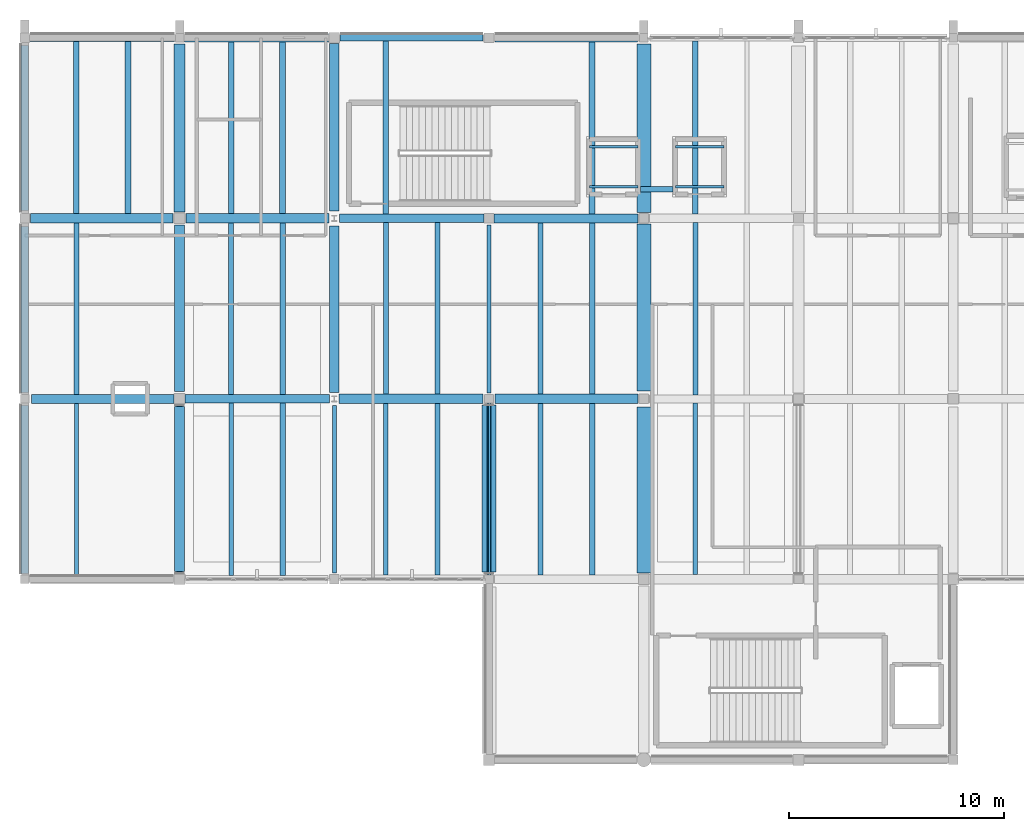
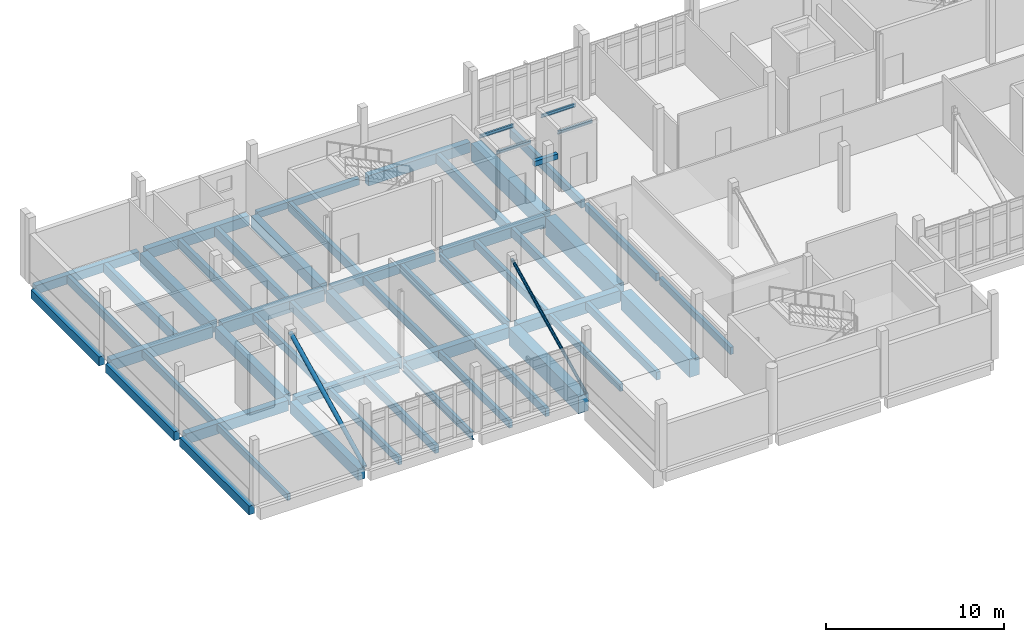
# One storey, part 11 of 34: 54 beams, 2 members.
"""IFC4 building model written with IfcOpenShell, lengths in metres."""

from ifc_helpers import new_model, si_unit, direction, frame, origin, origin_2d, place, context, subcontext, project, spatial, rectangle, hollow_circle, i_section, extrude, material, material_profile, profile_set, type_object, element, save


model = new_model("IFC4")

# Units and contexts
model_context = context("Model", 3, precision=1e-05, world=origin(), true_north=direction((0.0, 1.0)))
body_context = subcontext(model_context, "Body", "Model", "MODEL_VIEW")
ifc_project = project(units=[si_unit("LENGTHUNIT", "METRE"), si_unit("AREAUNIT", "SQUARE_METRE"), si_unit("VOLUMEUNIT", "CUBIC_METRE"), si_unit("PLANEANGLEUNIT", "RADIAN"), si_unit("MASSUNIT", "GRAM", prefix="KILO")], contexts=[model_context])

# Site, building, storey
site_placement = place(None, origin())
site = spatial("IfcSite", under=ifc_project, at=site_placement, CompositionType="ELEMENT")
building_placement = place(site_placement, origin())
building = spatial("IfcBuilding", under=site, at=building_placement, Name="Kalluvel Institute of Natural Sciences", CompositionType="ELEMENT")
storey_placement = place(building_placement, frame((0.0, 0.0, 36.89990234375)))
storey = spatial("IfcBuildingStorey", under=building, at=storey_placement, Name="L08", CompositionType="ELEMENT", Elevation=36.89990234375)

# Beams
ifc_material_1 = material(Name="Steel E350 Grade 350", Category="steel")
ifc_material_profile_1 = material_profile(ifc_material_1, i_section(OverallWidth=0.110107421875, OverallDepth=0.22509765625, WebThickness=0.006591796875, FlangeThickness=0.01171875, FilletRadius=0.011962890625, at=origin_2d()), Name="ISMB 225")
ifc_profile_set_1 = profile_set([ifc_material_profile_1], Name="Steel E350 Grade 350")
beam_type_1 = type_object("IfcBeamType", Name="BM-ISMB225", PredefinedType="BEAM", material=ifc_profile_set_1)
for number, where, z_axis, x_axis, name in (
    (1, (40.27001953125, 121.070068359375, 3.8076171875), (1.0, 0.0, 0.0), (0.0, 1.0, 0.0), "LF1 overrun cap support beam S"),
    (2, (40.27001953125, 122.929931640625, 3.8076171875), (1.0, 0.0, 0.0), (0.0, 1.0, 0.0), "LF1 overrun cap support beam N"),
    (3, (44.27001953125, 121.070068359375, 3.8076171875), (1.0, 0.0, 0.0), (0.0, 1.0, 0.0), "LF2 overrun cap support beam S"),
    (4, (44.27001953125, 122.929931640625, 3.8076171875), (1.0, 0.0, 0.0), (0.0, 1.0, 0.0), "LF2 overrun cap support beam N"),
):
    element("IfcBeam", number, at=place(storey_placement, frame(where, z_axis=z_axis, x_axis=x_axis)), inside=storey, type_object=beam_type_1, Name=name, PredefinedType="BEAM", context=body_context, shape_type="SweptSolid", body=[
        extrude(i_section(OverallWidth=0.110107421875, OverallDepth=0.22509765625, WebThickness=0.006591796875, FlangeThickness=0.01171875, FilletRadius=0.011962890625, at=origin_2d()), origin(), (0.0, 0.0, 1.0), 2.260009765625),
    ])
ifc_material_profile_2 = material_profile(ifc_material_1, i_section(OverallWidth=0.18994140625, OverallDepth=0.550048828125, WebThickness=0.01123046875, FlangeThickness=0.019287109375, FilletRadius=0.01806640625, at=origin_2d()), Name="ISMB 550")
ifc_profile_set_2 = profile_set([ifc_material_profile_2], Name="Steel E350 Grade 350")
beam_type_2 = type_object("IfcBeamType", Name="BM-ISMB550", PredefinedType="BEAM", material=ifc_profile_set_2)
beam_1_placement = place(storey_placement, frame((28.39990234375, 103.10009765625, -0.594970703125), z_axis=(0.0, 1.0, 0.0), x_axis=(-1.0, 0.0, 0.0)))
element("IfcBeam", 5, at=beam_1_placement, inside=storey, type_object=beam_type_2, Name="L08 girder GIR-L08-NS-X284-Y1028", PredefinedType="BEAM", context=body_context, shape_type="SweptSolid", body=[
    extrude(i_section(OverallWidth=0.18994140625, OverallDepth=0.550048828125, WebThickness=0.01123046875, FlangeThickness=0.019287109375, FilletRadius=0.01806640625, at=origin_2d()), origin(), (0.0, 0.0, 1.0), 7.7998046875),
])
beam_2_placement = place(storey_placement, frame((35.60009765625, 111.47509765625, -0.594970703125), z_axis=(0.0, 1.0, 0.0), x_axis=(-1.0, 0.0, 0.0)))
element("IfcBeam", 6, at=beam_2_placement, inside=storey, type_object=beam_type_2, Name="L08 girder GIR-L08-NS-X356-Y1112", PredefinedType="BEAM", context=body_context, shape_type="SweptSolid", body=[
    extrude(i_section(OverallWidth=0.18994140625, OverallDepth=0.550048828125, WebThickness=0.01123046875, FlangeThickness=0.019287109375, FilletRadius=0.01806640625, at=origin_2d()), origin(), (0.0, 0.0, 1.0), 7.824951171875),
])
ifc_material_2 = material(Name="Concrete M40", Category="concrete")
ifc_material_profile_3 = material_profile(ifc_material_2, rectangle(XDim=0.3798828125, YDim=0.639892578125, at=origin_2d()), Name="RCB 380x640")
ifc_profile_set_3 = profile_set([ifc_material_profile_3], Name="Concrete M40")
beam_type_3 = type_object("IfcBeamType", Name="BM-RC380x640", PredefinedType="BEAM", material=ifc_profile_set_3)
beam_3_placement = place(storey_placement, frame((28.64990234375, 119.60009765625, -0.639892578125), z_axis=(1.0, 0.0, 0.0), x_axis=(0.0, 1.0, 0.0)))
element("IfcBeam", 7, at=beam_3_placement, inside=storey, type_object=beam_type_3, Name="L08 girder GIR-L08-EW-X284-Y1196", PredefinedType="BEAM", context=body_context, shape_type="SweptSolid", body=[
    extrude(rectangle(XDim=0.3798828125, YDim=0.639892578125, at=origin_2d()), origin(), (0.0, 0.0, 1.0), 6.72509765625),
])
ifc_material_profile_4 = material_profile(ifc_material_2, rectangle(XDim=0.39990234375, YDim=0.64990234375, at=origin_2d()), Name="RCB 400x650")
ifc_profile_set_4 = profile_set([ifc_material_profile_4], Name="Concrete M40")
beam_type_4 = type_object("IfcBeamType", Name="BM-RC400x650", PredefinedType="BEAM", material=ifc_profile_set_4)
beam_4_placement = place(storey_placement, frame((21.449951171875, 111.199951171875, -0.64501953125), z_axis=(1.0, 0.0, 0.0), x_axis=(0.0, 1.0, 0.0)))
element("IfcBeam", 8, at=beam_4_placement, inside=storey, type_object=beam_type_4, Name="L08 girder GIR-L08-EW-X212-Y1112", PredefinedType="BEAM", context=body_context, shape_type="SweptSolid", body=[
    extrude(rectangle(XDim=0.39990234375, YDim=0.64990234375, at=origin_2d()), origin(), (0.0, 0.0, 1.0), 6.72509765625),
])
ifc_material_profile_5 = material_profile(ifc_material_2, rectangle(XDim=0.419921875, YDim=0.719970703125, at=origin_2d()), Name="RCB 420x720")
ifc_profile_set_5 = profile_set([ifc_material_profile_5], Name="Concrete M40")
beam_type_5 = type_object("IfcBeamType", Name="BM-RC420x720", PredefinedType="BEAM", material=ifc_profile_set_5)
beam_5_placement = place(storey_placement, frame((14.300048828125, 111.199951171875, -0.679931640625), z_axis=(1.0, 0.0, 0.0), x_axis=(0.0, 1.0, 0.0)))
element("IfcBeam", 9, at=beam_5_placement, inside=storey, type_object=beam_type_5, Name="L08 girder GIR-L08-EW-X140-Y1112", PredefinedType="BEAM", context=body_context, shape_type="SweptSolid", body=[
    extrude(rectangle(XDim=0.419921875, YDim=0.719970703125, at=origin_2d()), origin(), (0.0, 0.0, 1.0), 6.64990234375),
])
beam_6_placement = place(storey_placement, frame((35.824951171875, 119.60009765625, -0.679931640625), z_axis=(1.0, 0.0, 0.0), x_axis=(0.0, 1.0, 0.0)))
element("IfcBeam", 10, at=beam_6_placement, inside=storey, type_object=beam_type_5, Name="L08 girder GIR-L08-EW-X356-Y1196", PredefinedType="BEAM", context=body_context, shape_type="SweptSolid", body=[
    extrude(rectangle(XDim=0.419921875, YDim=0.719970703125, at=origin_2d()), origin(), (0.0, 0.0, 1.0), 6.699951171875),
])
ifc_material_profile_6 = material_profile(ifc_material_2, rectangle(XDim=0.449951171875, YDim=0.75, at=origin_2d()), Name="RCB 450x750")
ifc_profile_set_6 = profile_set([ifc_material_profile_6], Name="Concrete M40")
beam_type_6 = type_object("IfcBeamType", Name="BM-RC450x750", PredefinedType="BEAM", material=ifc_profile_set_6)
beam_7_placement = place(storey_placement, frame((28.625, 111.199951171875, -0.69482421875), z_axis=(1.0, 0.0, 0.0), x_axis=(0.0, 1.0, 0.0)))
element("IfcBeam", 11, at=beam_7_placement, inside=storey, type_object=beam_type_6, Name="L08 girder GIR-L08-EW-X284-Y1112", PredefinedType="BEAM", context=body_context, shape_type="SweptSolid", body=[
    extrude(rectangle(XDim=0.449951171875, YDim=0.75, at=origin_2d()), origin(), (0.0, 0.0, 1.0), 6.699951171875),
])
beam_8_placement = place(storey_placement, frame((14.27490234375, 119.60009765625, -0.69482421875), z_axis=(1.0, 0.0, 0.0), x_axis=(0.0, 1.0, 0.0)))
element("IfcBeam", 12, at=beam_8_placement, inside=storey, type_object=beam_type_6, Name="L08 girder GIR-L08-EW-X140-Y1196", PredefinedType="BEAM", context=body_context, shape_type="SweptSolid", body=[
    extrude(rectangle(XDim=0.449951171875, YDim=0.75, at=origin_2d()), origin(), (0.0, 0.0, 1.0), 6.625),
])
ifc_material_profile_7 = material_profile(ifc_material_2, rectangle(XDim=0.449951171875, YDim=0.800048828125, at=origin_2d()), Name="RCB 450x800")
ifc_profile_set_7 = profile_set([ifc_material_profile_7], Name="Concrete M40")
beam_type_7 = type_object("IfcBeamType", Name="BM-RC450x800", PredefinedType="BEAM", material=ifc_profile_set_7)
for number, where, z_axis, x_axis, name in (
    (13, (35.875, 111.199951171875, -0.719970703125), (1.0, 0.0, 0.0), (0.0, 1.0, 0.0), "L08 girder GIR-L08-EW-X356-Y1112"),
    (14, (21.5, 119.60009765625, -0.719970703125), (1.0, 0.0, 0.0), (0.0, 1.0, 0.0), "L08 girder GIR-L08-EW-X212-Y1196"),
):
    element("IfcBeam", number, at=place(storey_placement, frame(where, z_axis=z_axis, x_axis=x_axis)), inside=storey, type_object=beam_type_7, Name=name, PredefinedType="BEAM", context=body_context, shape_type="SweptSolid", body=[
        extrude(rectangle(XDim=0.449951171875, YDim=0.800048828125, at=origin_2d()), origin(), (0.0, 0.0, 1.0), 6.64990234375),
    ])
beam_9_placement = place(storey_placement, frame((21.199951171875, 103.175048828125, -0.719970703125), z_axis=(0.0, 1.0, 0.0), x_axis=(-1.0, 0.0, 0.0)))
element("IfcBeam", 15, at=beam_9_placement, inside=storey, type_object=beam_type_7, Name="L08 girder GIR-L08-NS-X212-Y1028", PredefinedType="BEAM", context=body_context, shape_type="SweptSolid", body=[
    extrude(rectangle(XDim=0.449951171875, YDim=0.800048828125, at=origin_2d()), origin(), (0.0, 0.0, 1.0), 7.675048828125),
])
for number, where, z_axis, x_axis, name in (
    (16, (21.199951171875, 111.550048828125, -0.719970703125), (0.0, 1.0, 0.0), (-1.0, 0.0, 0.0), "L08 girder GIR-L08-NS-X212-Y1112"),
    (17, (28.39990234375, 111.5, -0.719970703125), (0.0, 1.0, 0.0), (-1.0, 0.0, 0.0), "L08 girder GIR-L08-NS-X284-Y1112"),
):
    element("IfcBeam", number, at=place(storey_placement, frame(where, z_axis=z_axis, x_axis=x_axis)), inside=storey, type_object=beam_type_7, Name=name, PredefinedType="BEAM", context=body_context, shape_type="SweptSolid", body=[
        extrude(rectangle(XDim=0.449951171875, YDim=0.800048828125, at=origin_2d()), origin(), (0.0, 0.0, 1.0), 7.75),
    ])
beam_10_placement = place(storey_placement, frame((28.39990234375, 119.949951171875, -0.719970703125), z_axis=(0.0, 1.0, 0.0), x_axis=(-1.0, 0.0, 0.0)))
element("IfcBeam", 18, at=beam_10_placement, inside=storey, type_object=beam_type_7, Name="L08 girder GIR-L08-NS-X284-Y1196", PredefinedType="BEAM", context=body_context, shape_type="SweptSolid", body=[
    extrude(rectangle(XDim=0.449951171875, YDim=0.800048828125, at=origin_2d()), origin(), (0.0, 0.0, 1.0), 7.775146484375),
])
ifc_material_3 = material(Name="Concrete M50", Category="concrete")
ifc_material_profile_8 = material_profile(ifc_material_3, rectangle(XDim=0.5, YDim=0.85009765625, at=origin_2d()), Name="RCB 500x850")
ifc_profile_set_8 = profile_set([ifc_material_profile_8], Name="Concrete M50")
beam_type_8 = type_object("IfcBeamType", Name="BM-RC500x850", PredefinedType="BEAM", material=ifc_profile_set_8)
beam_11_placement = place(storey_placement, frame((21.199951171875, 119.89990234375, -0.744873046875), z_axis=(0.0, 1.0, 0.0), x_axis=(-1.0, 0.0, 0.0)))
element("IfcBeam", 19, at=beam_11_placement, inside=storey, type_object=beam_type_8, Name="L08 girder GIR-L08-NS-X212-Y1196", PredefinedType="BEAM", context=body_context, shape_type="SweptSolid", body=[
    extrude(rectangle(XDim=0.5, YDim=0.85009765625, at=origin_2d()), origin(), (0.0, 0.0, 1.0), 7.800048828125),
])
ifc_material_profile_9 = material_profile(ifc_material_3, rectangle(XDim=0.64990234375, YDim=1.199951171875, at=origin_2d()), Name="RCB 650x1200")
ifc_profile_set_9 = profile_set([ifc_material_profile_9], Name="Concrete M50")
beam_type_9 = type_object("IfcBeamType", Name="BM-RC650x1200", PredefinedType="BEAM", material=ifc_profile_set_9)
beam_12_placement = place(storey_placement, frame((35.60009765625, 103.14990234375, -0.919921875), z_axis=(0.0, 1.0, 0.0), x_axis=(-1.0, 0.0, 0.0)))
element("IfcBeam", 20, at=beam_12_placement, inside=storey, type_object=beam_type_9, Name="L08 girder GIR-L08-NS-X356-Y1028", PredefinedType="BEAM", context=body_context, shape_type="SweptSolid", body=[
    extrude(rectangle(XDim=0.64990234375, YDim=1.199951171875, at=origin_2d()), origin(), (0.0, 0.0, 1.0), 7.775146484375),
])
beam_13_placement = place(storey_placement, frame((42.800048828125, 103.10009765625, -0.919921875), z_axis=(0.0, 1.0, 0.0), x_axis=(-1.0, 0.0, 0.0)))
element("IfcBeam", 21, at=beam_13_placement, inside=storey, type_object=beam_type_9, Name="L08 girder GIR-L08-NS-X428-Y1028", PredefinedType="BEAM", context=body_context, shape_type="SweptSolid", body=[
    extrude(rectangle(XDim=0.64990234375, YDim=1.199951171875, at=origin_2d()), origin(), (0.0, 0.0, 1.0), 7.724853515625),
])
beam_14_placement = place(storey_placement, frame((42.800048828125, 111.574951171875, -0.919921875), z_axis=(0.0, 1.0, 0.0), x_axis=(-1.0, 0.0, 0.0)))
element("IfcBeam", 22, at=beam_14_placement, inside=storey, type_object=beam_type_9, Name="L08 girder GIR-L08-NS-X428-Y1112", PredefinedType="BEAM", context=body_context, shape_type="SweptSolid", body=[
    extrude(rectangle(XDim=0.64990234375, YDim=1.199951171875, at=origin_2d()), origin(), (0.0, 0.0, 1.0), 7.75),
])
beam_15_placement = place(storey_placement, frame((42.800048828125, 119.875, -0.919921875), z_axis=(0.0, 1.0, 0.0), x_axis=(-1.0, 0.0, 0.0)))
element("IfcBeam", 23, at=beam_15_placement, inside=storey, type_object=beam_type_9, Name="L08 girder GIR-L08-NS-X428-Y1196", PredefinedType="BEAM", context=body_context, shape_type="SweptSolid", body=[
    extrude(rectangle(XDim=0.64990234375, YDim=1.199951171875, at=origin_2d()), origin(), (0.0, 0.0, 1.0), 7.824951171875),
])
ifc_material_4 = material(Name="Sadarahalli Granite Precast Concrete M45", Category="masonry")
ifc_material_profile_10 = material_profile(ifc_material_4, rectangle(XDim=0.25, YDim=0.35009765625, at=origin_2d()), Name="LIN 250x350")
ifc_profile_set_10 = profile_set([ifc_material_profile_10], Name="Sadarahalli Granite Precast Concrete M45")
beam_type_10 = type_object("IfcBeamType", Name="LN-250x350-EXT", PredefinedType="LINTEL", material=ifc_profile_set_10)
beam_16_placement = place(storey_placement, frame((42.639892578125, 120.949951171875, 2.35009765625), z_axis=(1.0, 0.0, 0.0), x_axis=(0.0, 1.0, 0.0)))
element("IfcBeam", 24, at=beam_16_placement, inside=storey, type_object=beam_type_10, Name="L08 lift-core coupling lintel A", PredefinedType="LINTEL", context=body_context, shape_type="SweptSolid", body=[
    extrude(rectangle(XDim=0.25, YDim=0.35009765625, at=origin_2d()), origin(), (0.0, 0.0, 1.0), 1.52001953125),
])

# Members
ifc_material_profile_11 = material_profile(ifc_material_1, hollow_circle(Radius=0.096923828125, WallThickness=0.010009765625, at=origin_2d()), Name="CHS 193.7x10.0")
ifc_profile_set_11 = profile_set([ifc_material_profile_11], Name="Steel E350 Grade 350")
member_type_1 = type_object("IfcMemberType", Name="MB-ST-CHS193", PredefinedType="STRUT", material=ifc_profile_set_11)
member_1_placement = place(storey_placement, frame((35.60009765625, 102.800048828125, 0.0), z_axis=(0.0, 0.896543394675, 0.44295591368), x_axis=(-1.0, 0.0, 0.0)))
element("IfcMember", 25, at=member_1_placement, inside=storey, type_object=member_type_1, Name="Crown lateral brace strut 2", PredefinedType="STRUT", context=body_context, shape_type="SweptSolid", body=[
    extrude(hollow_circle(Radius=0.096923828125, WallThickness=0.010009765625, at=origin_2d()), origin(), (0.0, 0.0, 1.0), 9.369140625),
])
ifc_material_profile_12 = material_profile(ifc_material_1, hollow_circle(Radius=0.136474609375, WallThickness=0.012451171875, at=origin_2d()), Name="CHS 273.0x12.5")
ifc_profile_set_12 = profile_set([ifc_material_profile_12], Name="Steel E350 Grade 350")
member_type_2 = type_object("IfcMemberType", Name="MB-ST-CHS273", PredefinedType="STRUT", material=ifc_profile_set_12)
member_2_placement = place(storey_placement, frame((21.199951171875, 102.800048828125, 0.0), z_axis=(0.0, 0.896543394675, 0.44295591368), x_axis=(-1.0, 0.0, 0.0)))
element("IfcMember", 26, at=member_2_placement, inside=storey, type_object=member_type_2, Name="Crown lateral brace strut 1", PredefinedType="STRUT", context=body_context, shape_type="SweptSolid", body=[
    extrude(hollow_circle(Radius=0.136474609375, WallThickness=0.012451171875, at=origin_2d()), origin(), (0.0, 0.0, 1.0), 9.369140625),
])

# Beams
ifc_material_profile_13 = material_profile(ifc_material_2, rectangle(XDim=0.300048828125, YDim=0.449951171875, at=origin_2d()), Name="RCB 300x450")
ifc_profile_set_13 = profile_set([ifc_material_profile_13], Name="Concrete M40")
beam_type_11 = type_object("IfcBeamType", Name="SP-RC300x450", PredefinedType="SPANDREL", material=ifc_profile_set_13)
beam_17_placement = place(storey_placement, frame((28.675048828125, 128.0, -0.544921875), z_axis=(1.0, 0.0, 0.0), x_axis=(0.0, 1.0, 0.0)))
element("IfcBeam", 27, at=beam_17_placement, inside=storey, type_object=beam_type_11, Name="L08 girder GIR-L08-EW-X284-Y1280", PredefinedType="SPANDREL", context=body_context, shape_type="SweptSolid", body=[
    extrude(rectangle(XDim=0.300048828125, YDim=0.449951171875, at=origin_2d()), origin(), (0.0, 0.0, 1.0), 6.64990234375),
])
ifc_material_profile_14 = material_profile(ifc_material_2, rectangle(XDim=0.35009765625, YDim=0.60009765625, at=origin_2d()), Name="RCB 350x600")
ifc_profile_set_14 = profile_set([ifc_material_profile_14], Name="Concrete M40")
beam_type_12 = type_object("IfcBeamType", Name="SP-RC350x600", PredefinedType="SPANDREL", material=ifc_profile_set_14)
beam_18_placement = place(storey_placement, frame((14.25, 128.0, -0.619873046875), z_axis=(1.0, 0.0, 0.0), x_axis=(0.0, 1.0, 0.0)))
element("IfcBeam", 28, at=beam_18_placement, inside=storey, type_object=beam_type_12, Name="L08 girder GIR-L08-EW-X140-Y1280", PredefinedType="SPANDREL", context=body_context, shape_type="SweptSolid", body=[
    extrude(rectangle(XDim=0.35009765625, YDim=0.60009765625, at=origin_2d()), origin(), (0.0, 0.0, 1.0), 6.72509765625),
])
beam_19_placement = place(storey_placement, frame((14.0, 103.074951171875, -0.619873046875), z_axis=(0.0, 1.0, 0.0), x_axis=(-1.0, 0.0, 0.0)))
element("IfcBeam", 29, at=beam_19_placement, inside=storey, type_object=beam_type_12, Name="L08 girder GIR-L08-NS-X140-Y1028", PredefinedType="SPANDREL", context=body_context, shape_type="SweptSolid", body=[
    extrude(rectangle(XDim=0.35009765625, YDim=0.60009765625, at=origin_2d()), origin(), (0.0, 0.0, 1.0), 7.824951171875),
])
beam_20_placement = place(storey_placement, frame((14.0, 111.5, -0.619873046875), z_axis=(0.0, 1.0, 0.0), x_axis=(-1.0, 0.0, 0.0)))
element("IfcBeam", 30, at=beam_20_placement, inside=storey, type_object=beam_type_12, Name="L08 girder GIR-L08-NS-X140-Y1112", PredefinedType="SPANDREL", context=body_context, shape_type="SweptSolid", body=[
    extrude(rectangle(XDim=0.35009765625, YDim=0.60009765625, at=origin_2d()), origin(), (0.0, 0.0, 1.0), 7.72509765625),
])
beam_21_placement = place(storey_placement, frame((14.0, 119.97509765625, -0.619873046875), z_axis=(0.0, 1.0, 0.0), x_axis=(-1.0, 0.0, 0.0)))
element("IfcBeam", 31, at=beam_21_placement, inside=storey, type_object=beam_type_12, Name="L08 girder GIR-L08-NS-X140-Y1196", PredefinedType="SPANDREL", context=body_context, shape_type="SweptSolid", body=[
    extrude(rectangle(XDim=0.35009765625, YDim=0.60009765625, at=origin_2d()), origin(), (0.0, 0.0, 1.0), 7.6748046875),
])
ifc_material_profile_15 = material_profile(ifc_material_2, rectangle(XDim=0.39990234375, YDim=0.699951171875, at=origin_2d()), Name="RCB 400x700")
ifc_profile_set_15 = profile_set([ifc_material_profile_15], Name="Concrete M40")
beam_type_13 = type_object("IfcBeamType", Name="SP-RC400x700", PredefinedType="SPANDREL", material=ifc_profile_set_15)
beam_22_placement = place(storey_placement, frame((21.425048828125, 128.0, -0.669921875), z_axis=(1.0, 0.0, 0.0), x_axis=(0.0, 1.0, 0.0)))
element("IfcBeam", 32, at=beam_22_placement, inside=storey, type_object=beam_type_13, Name="L08 girder GIR-L08-EW-X212-Y1280", PredefinedType="SPANDREL", context=body_context, shape_type="SweptSolid", body=[
    extrude(rectangle(XDim=0.39990234375, YDim=0.699951171875, at=origin_2d()), origin(), (0.0, 0.0, 1.0), 6.699951171875),
])
beam_23_placement = place(storey_placement, frame((35.875, 128.0, -0.669921875), z_axis=(1.0, 0.0, 0.0), x_axis=(0.0, 1.0, 0.0)))
element("IfcBeam", 33, at=beam_23_placement, inside=storey, type_object=beam_type_13, Name="L08 girder GIR-L08-EW-X356-Y1280", PredefinedType="SPANDREL", context=body_context, shape_type="SweptSolid", body=[
    extrude(rectangle(XDim=0.39990234375, YDim=0.699951171875, at=origin_2d()), origin(), (0.0, 0.0, 1.0), 6.625),
])
ifc_material_profile_16 = material_profile(ifc_material_2, rectangle(XDim=0.199951171875, YDim=0.4599609375, at=origin_2d()), Name="WAF 200x460")
ifc_profile_set_16 = profile_set([ifc_material_profile_16], Name="Concrete M40")
beam_type_14 = type_object("IfcBeamType", Name="WJ-200x460", PredefinedType="JOIST", material=ifc_profile_set_16)
beam_24_placement = place(storey_placement, frame((16.39990234375, 103.02490234375, -0.5498046875), z_axis=(0.0, 1.0, 0.0), x_axis=(-1.0, 0.0, 0.0)))
element("IfcBeam", 34, at=beam_24_placement, inside=storey, type_object=beam_type_14, Name="L08 waffle joist RIB-L08-0575", PredefinedType="JOIST", context=body_context, shape_type="SweptSolid", body=[
    extrude(rectangle(XDim=0.199951171875, YDim=0.4599609375, at=origin_2d()), origin(), (0.0, 0.0, 1.0), 7.965087890625),
])
ifc_material_profile_17 = material_profile(ifc_material_2, rectangle(XDim=0.219970703125, YDim=0.5, at=origin_2d()), Name="WAF 220x500")
ifc_profile_set_17 = profile_set([ifc_material_profile_17], Name="Concrete M40")
beam_type_15 = type_object("IfcBeamType", Name="WJ-220x500", PredefinedType="JOIST", material=ifc_profile_set_17)
beam_25_placement = place(storey_placement, frame((16.39990234375, 111.409912109375, -0.56982421875), z_axis=(0.0, 1.0, 0.0), x_axis=(-1.0, 0.0, 0.0)))
element("IfcBeam", 35, at=beam_25_placement, inside=storey, type_object=beam_type_15, Name="L08 waffle joist RIB-L08-0576", PredefinedType="JOIST", context=body_context, shape_type="SweptSolid", body=[
    extrude(rectangle(XDim=0.219970703125, YDim=0.5, at=origin_2d()), origin(), (0.0, 0.0, 1.0), 7.965087890625),
])
beam_26_placement = place(storey_placement, frame((23.60009765625, 102.989990234375, -0.56982421875), z_axis=(0.0, 1.0, 0.0), x_axis=(-1.0, 0.0, 0.0)))
element("IfcBeam", 36, at=beam_26_placement, inside=storey, type_object=beam_type_15, Name="L08 waffle joist RIB-L08-0579", PredefinedType="JOIST", context=body_context, shape_type="SweptSolid", body=[
    extrude(rectangle(XDim=0.219970703125, YDim=0.5, at=origin_2d()), origin(), (0.0, 0.0, 1.0), 8.010009765625),
])
beam_27_placement = place(storey_placement, frame((30.800048828125, 103.010009765625, -0.56982421875), z_axis=(0.0, 1.0, 0.0), x_axis=(-1.0, 0.0, 0.0)))
element("IfcBeam", 37, at=beam_27_placement, inside=storey, type_object=beam_type_15, Name="L08 waffle joist RIB-L08-0585", PredefinedType="JOIST", context=body_context, shape_type="SweptSolid", body=[
    extrude(rectangle(XDim=0.219970703125, YDim=0.5, at=origin_2d()), origin(), (0.0, 0.0, 1.0), 7.965087890625),
])
beam_28_placement = place(storey_placement, frame((38.0, 103.0, -0.56982421875), z_axis=(0.0, 1.0, 0.0), x_axis=(-1.0, 0.0, 0.0)))
element("IfcBeam", 38, at=beam_28_placement, inside=storey, type_object=beam_type_15, Name="L08 waffle joist RIB-L08-0590", PredefinedType="JOIST", context=body_context, shape_type="SweptSolid", body=[
    extrude(rectangle(XDim=0.219970703125, YDim=0.5, at=origin_2d()), origin(), (0.0, 0.0, 1.0), 7.97509765625),
])
beam_29_placement = place(storey_placement, frame((45.199951171875, 103.02490234375, -0.56982421875), z_axis=(0.0, 1.0, 0.0), x_axis=(-1.0, 0.0, 0.0)))
element("IfcBeam", 39, at=beam_29_placement, inside=storey, type_object=beam_type_15, Name="L08 waffle joist RIB-L08-0595", PredefinedType="JOIST", context=body_context, shape_type="SweptSolid", body=[
    extrude(rectangle(XDim=0.219970703125, YDim=0.5, at=origin_2d()), origin(), (0.0, 0.0, 1.0), 7.985107421875),
])
ifc_material_profile_18 = material_profile(ifc_material_2, rectangle(XDim=0.239990234375, YDim=0.52001953125, at=origin_2d()), Name="WAF 240x520")
ifc_profile_set_18 = profile_set([ifc_material_profile_18], Name="Concrete M40")
beam_type_16 = type_object("IfcBeamType", Name="WJ-240x520", PredefinedType="JOIST", material=ifc_profile_set_18)
beam_30_placement = place(storey_placement, frame((23.60009765625, 111.39990234375, -0.579833984375), z_axis=(0.0, 1.0, 0.0), x_axis=(-1.0, 0.0, 0.0)))
element("IfcBeam", 40, at=beam_30_placement, inside=storey, type_object=beam_type_16, Name="L08 waffle joist RIB-L08-0581", PredefinedType="JOIST", context=body_context, shape_type="SweptSolid", body=[
    extrude(rectangle(XDim=0.239990234375, YDim=0.52001953125, at=origin_2d()), origin(), (0.0, 0.0, 1.0), 7.97509765625),
])
beam_31_placement = place(storey_placement, frame((30.800048828125, 111.425048828125, -0.579833984375), z_axis=(0.0, 1.0, 0.0), x_axis=(-1.0, 0.0, 0.0)))
element("IfcBeam", 41, at=beam_31_placement, inside=storey, type_object=beam_type_16, Name="L08 waffle joist RIB-L08-0587", PredefinedType="JOIST", context=body_context, shape_type="SweptSolid", body=[
    extrude(rectangle(XDim=0.239990234375, YDim=0.52001953125, at=origin_2d()), origin(), (0.0, 0.0, 1.0), 7.98486328125),
])
beam_32_placement = place(storey_placement, frame((38.0, 111.425048828125, -0.579833984375), z_axis=(0.0, 1.0, 0.0), x_axis=(-1.0, 0.0, 0.0)))
element("IfcBeam", 42, at=beam_32_placement, inside=storey, type_object=beam_type_16, Name="L08 waffle joist RIB-L08-0592", PredefinedType="JOIST", context=body_context, shape_type="SweptSolid", body=[
    extrude(rectangle(XDim=0.239990234375, YDim=0.52001953125, at=origin_2d()), origin(), (0.0, 0.0, 1.0), 7.96484375),
])
beam_33_placement = place(storey_placement, frame((45.199951171875, 111.389892578125, -0.579833984375), z_axis=(0.0, 1.0, 0.0), x_axis=(-1.0, 0.0, 0.0)))
element("IfcBeam", 43, at=beam_33_placement, inside=storey, type_object=beam_type_16, Name="L08 waffle joist RIB-L08-0597", PredefinedType="JOIST", context=body_context, shape_type="SweptSolid", body=[
    extrude(rectangle(XDim=0.239990234375, YDim=0.52001953125, at=origin_2d()), origin(), (0.0, 0.0, 1.0), 8.010009765625),
])
ifc_material_profile_19 = material_profile(ifc_material_2, rectangle(XDim=0.25, YDim=0.550048828125, at=origin_2d()), Name="WAF 250x550")
ifc_profile_set_19 = profile_set([ifc_material_profile_19], Name="Concrete M40")
beam_type_17 = type_object("IfcBeamType", Name="WJ-250x550", PredefinedType="JOIST", material=ifc_profile_set_19)
beam_34_placement = place(storey_placement, frame((16.39990234375, 119.824951171875, -0.594970703125), z_axis=(0.0, 1.0, 0.0), x_axis=(-1.0, 0.0, 0.0)))
element("IfcBeam", 44, at=beam_34_placement, inside=storey, type_object=beam_type_17, Name="L08 waffle joist RIB-L08-0577", PredefinedType="JOIST", context=body_context, shape_type="SweptSolid", body=[
    extrude(rectangle(XDim=0.25, YDim=0.550048828125, at=origin_2d()), origin(), (0.0, 0.0, 1.0), 8.0),
])
beam_35_placement = place(storey_placement, frame((26.0, 102.989990234375, -0.594970703125), z_axis=(0.0, 1.0, 0.0), x_axis=(-1.0, 0.0, 0.0)))
element("IfcBeam", 45, at=beam_35_placement, inside=storey, type_object=beam_type_17, Name="L08 waffle joist RIB-L08-0580", PredefinedType="JOIST", context=body_context, shape_type="SweptSolid", body=[
    extrude(rectangle(XDim=0.25, YDim=0.550048828125, at=origin_2d()), origin(), (0.0, 0.0, 1.0), 8.010009765625),
])
beam_36_placement = place(storey_placement, frame((33.199951171875, 103.010009765625, -0.594970703125), z_axis=(0.0, 1.0, 0.0), x_axis=(-1.0, 0.0, 0.0)))
element("IfcBeam", 46, at=beam_36_placement, inside=storey, type_object=beam_type_17, Name="L08 waffle joist RIB-L08-0586", PredefinedType="JOIST", context=body_context, shape_type="SweptSolid", body=[
    extrude(rectangle(XDim=0.25, YDim=0.550048828125, at=origin_2d()), origin(), (0.0, 0.0, 1.0), 7.965087890625),
])
beam_37_placement = place(storey_placement, frame((40.39990234375, 103.0, -0.594970703125), z_axis=(0.0, 1.0, 0.0), x_axis=(-1.0, 0.0, 0.0)))
element("IfcBeam", 47, at=beam_37_placement, inside=storey, type_object=beam_type_17, Name="L08 waffle joist RIB-L08-0591", PredefinedType="JOIST", context=body_context, shape_type="SweptSolid", body=[
    extrude(rectangle(XDim=0.25, YDim=0.550048828125, at=origin_2d()), origin(), (0.0, 0.0, 1.0), 7.97509765625),
])
ifc_material_profile_20 = material_profile(ifc_material_2, rectangle(XDim=0.25, YDim=0.60009765625, at=origin_2d()), Name="WAF 250x600")
ifc_profile_set_20 = profile_set([ifc_material_profile_20], Name="Concrete M40")
beam_type_18 = type_object("IfcBeamType", Name="WJ-250x600", PredefinedType="JOIST", material=ifc_profile_set_20)
for number, where, z_axis, x_axis, name in (
    (48, (26.0, 111.39990234375, -0.619873046875), (0.0, 1.0, 0.0), (-1.0, 0.0, 0.0), "L08 waffle joist RIB-L08-0582"),
    (49, (23.60009765625, 119.824951171875, -0.619873046875), (0.0, 1.0, 0.0), (-1.0, 0.0, 0.0), "L08 waffle joist RIB-L08-0583"),
):
    element("IfcBeam", number, at=place(storey_placement, frame(where, z_axis=z_axis, x_axis=x_axis)), inside=storey, type_object=beam_type_18, Name=name, PredefinedType="JOIST", context=body_context, shape_type="SweptSolid", body=[
        extrude(rectangle(XDim=0.25, YDim=0.60009765625, at=origin_2d()), origin(), (0.0, 0.0, 1.0), 7.97509765625),
    ])
beam_38_placement = place(storey_placement, frame((33.199951171875, 111.425048828125, -0.619873046875), z_axis=(0.0, 1.0, 0.0), x_axis=(-1.0, 0.0, 0.0)))
element("IfcBeam", 50, at=beam_38_placement, inside=storey, type_object=beam_type_18, Name="L08 waffle joist RIB-L08-0588", PredefinedType="JOIST", context=body_context, shape_type="SweptSolid", body=[
    extrude(rectangle(XDim=0.25, YDim=0.60009765625, at=origin_2d()), origin(), (0.0, 0.0, 1.0), 7.98486328125),
])
beam_39_placement = place(storey_placement, frame((30.800048828125, 119.7900390625, -0.619873046875), z_axis=(0.0, 1.0, 0.0), x_axis=(-1.0, 0.0, 0.0)))
element("IfcBeam", 51, at=beam_39_placement, inside=storey, type_object=beam_type_18, Name="L08 waffle joist RIB-L08-0589", PredefinedType="JOIST", context=body_context, shape_type="SweptSolid", body=[
    extrude(rectangle(XDim=0.25, YDim=0.60009765625, at=origin_2d()), origin(), (0.0, 0.0, 1.0), 8.06005859375),
])
beam_40_placement = place(storey_placement, frame((40.39990234375, 111.425048828125, -0.619873046875), z_axis=(0.0, 1.0, 0.0), x_axis=(-1.0, 0.0, 0.0)))
element("IfcBeam", 52, at=beam_40_placement, inside=storey, type_object=beam_type_18, Name="L08 waffle joist RIB-L08-0593", PredefinedType="JOIST", context=body_context, shape_type="SweptSolid", body=[
    extrude(rectangle(XDim=0.25, YDim=0.60009765625, at=origin_2d()), origin(), (0.0, 0.0, 1.0), 7.96484375),
])
beam_41_placement = place(storey_placement, frame((45.199951171875, 119.800048828125, -0.619873046875), z_axis=(0.0, 1.0, 0.0), x_axis=(-1.0, 0.0, 0.0)))
element("IfcBeam", 53, at=beam_41_placement, inside=storey, type_object=beam_type_18, Name="L08 waffle joist RIB-L08-0599", PredefinedType="JOIST", context=body_context, shape_type="SweptSolid", body=[
    extrude(rectangle(XDim=0.25, YDim=0.60009765625, at=origin_2d()), origin(), (0.0, 0.0, 1.0), 8.050048828125),
])
ifc_material_profile_21 = material_profile(ifc_material_3, rectangle(XDim=0.280029296875, YDim=0.64990234375, at=origin_2d()), Name="WAF 280x650")
ifc_profile_set_21 = profile_set([ifc_material_profile_21], Name="Concrete M50")
beam_type_19 = type_object("IfcBeamType", Name="WJ-280x650", PredefinedType="JOIST", material=ifc_profile_set_21)
beam_42_placement = place(storey_placement, frame((18.800048828125, 119.824951171875, -0.64501953125), z_axis=(0.0, 1.0, 0.0), x_axis=(-1.0, 0.0, 0.0)))
element("IfcBeam", 54, at=beam_42_placement, inside=storey, type_object=beam_type_19, Name="L08 waffle joist RIB-L08-0578", PredefinedType="JOIST", context=body_context, shape_type="SweptSolid", body=[
    extrude(rectangle(XDim=0.280029296875, YDim=0.64990234375, at=origin_2d()), origin(), (0.0, 0.0, 1.0), 8.0),
])
beam_43_placement = place(storey_placement, frame((26.0, 119.824951171875, -0.64501953125), z_axis=(0.0, 1.0, 0.0), x_axis=(-1.0, 0.0, 0.0)))
element("IfcBeam", 55, at=beam_43_placement, inside=storey, type_object=beam_type_19, Name="L08 waffle joist RIB-L08-0584", PredefinedType="JOIST", context=body_context, shape_type="SweptSolid", body=[
    extrude(rectangle(XDim=0.280029296875, YDim=0.64990234375, at=origin_2d()), origin(), (0.0, 0.0, 1.0), 7.97509765625),
])
beam_44_placement = place(storey_placement, frame((40.39990234375, 119.81005859375, -0.64501953125), z_axis=(0.0, 1.0, 0.0), x_axis=(-1.0, 0.0, 0.0)))
element("IfcBeam", 56, at=beam_44_placement, inside=storey, type_object=beam_type_19, Name="L08 waffle joist RIB-L08-0594", PredefinedType="JOIST", context=body_context, shape_type="SweptSolid", body=[
    extrude(rectangle(XDim=0.280029296875, YDim=0.64990234375, at=origin_2d()), origin(), (0.0, 0.0, 1.0), 7.989990234375),
])

save(model, "model.ifc")
